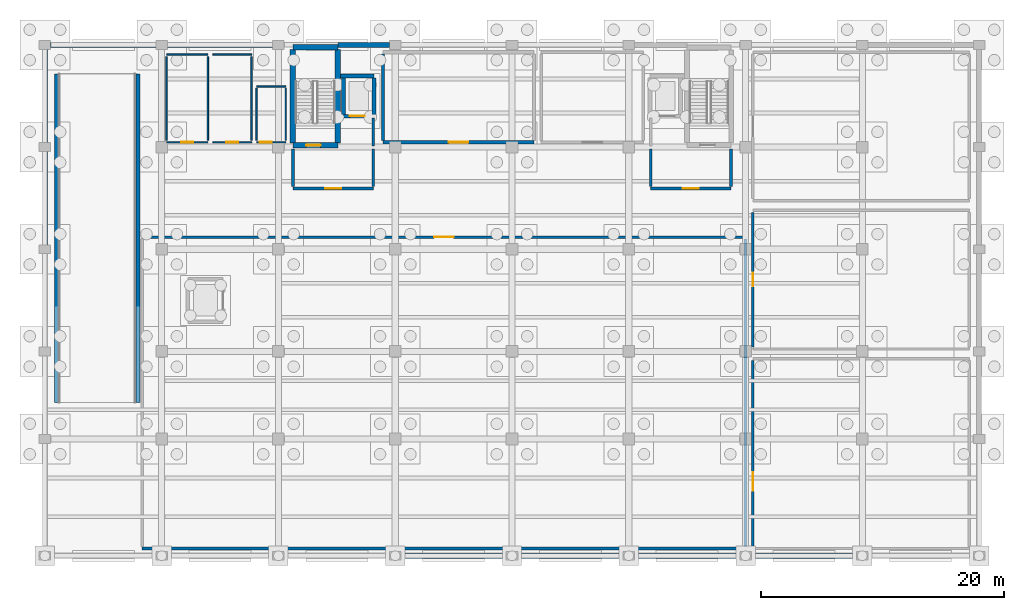
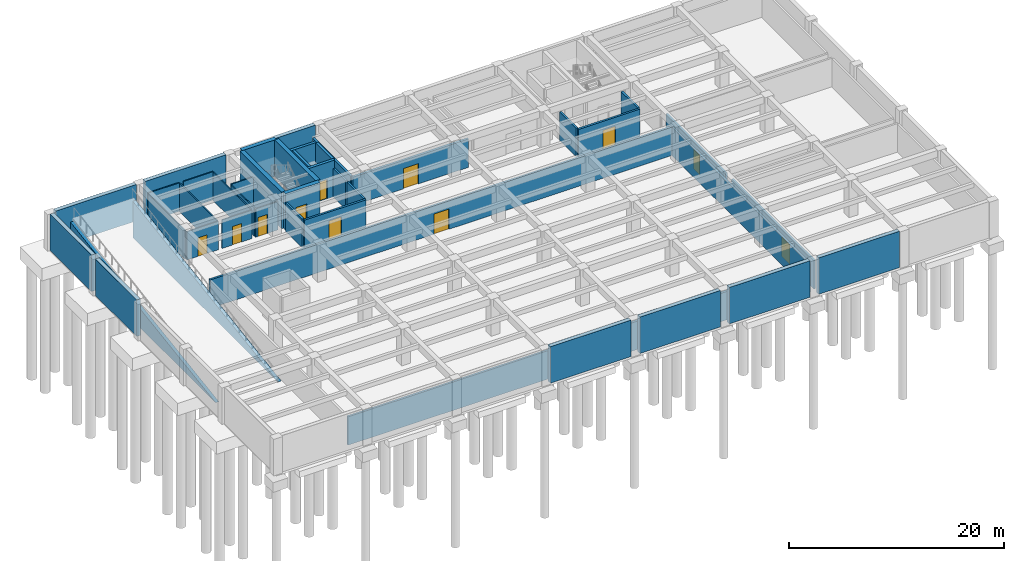
# One storey, part 4 of 8: 44 walls, 11 doors, 11 openings.
"""IFC4 building model written with IfcOpenShell, lengths in metres."""

from ifc_helpers import new_model, si_unit, direction, frame, frame_2d, origin, place, context, subcontext, project, spatial, polyline, rectangle, outline, extrude, material, layer, layer_set, type_object, element, fill, save


model = new_model("IFC4")

# Units and contexts
model_context = context("Model", 3, precision=1e-05, world=origin(), true_north=direction((0.0, 1.0)))
body_context = subcontext(model_context, "Body", "Model", "MODEL_VIEW")
ifc_project = project(units=[si_unit("LENGTHUNIT", "METRE"), si_unit("AREAUNIT", "SQUARE_METRE"), si_unit("VOLUMEUNIT", "CUBIC_METRE"), si_unit("PLANEANGLEUNIT", "RADIAN"), si_unit("MASSUNIT", "GRAM", prefix="KILO")], contexts=[model_context])

# Site, building, storey
site_placement = place(None, origin())
site = spatial("IfcSite", under=ifc_project, at=site_placement, CompositionType="ELEMENT")
building_placement = place(site_placement, origin())
building = spatial("IfcBuilding", under=site, at=building_placement, Name="Bempovik Park Faculty of Sciences", CompositionType="ELEMENT")
storey_placement = place(building_placement, frame((0.0, 0.0, -4.5)))
storey = spatial("IfcBuildingStorey", under=building, at=storey_placement, Name="B1", CompositionType="ELEMENT", Elevation=-4.5)

# Wall, opening, door
ifc_material_1 = material(Name="Concrete C40/50", Category="concrete")
ifc_layer_1 = layer(ifc_material_1, 0.449951171875)
ifc_layer_set_1 = layer_set([ifc_layer_1], Name="Concrete C40/50")
wall_type_1 = type_object("IfcWallType", Name="W-15 Wall 450mm", PredefinedType="SHEAR", material=ifc_layer_set_1)
wall_1_placement = place(storey_placement, frame((70.77490234375, 111.14990234375, 0.0), z_axis=(0.0, 0.0, 1.0), x_axis=(1.0, 0.0, 0.0)))
wall_1 = element("IfcWall", 1, at=wall_1_placement, inside=storey, type_object=wall_type_1, Name="ST-1 B1 Core Shear Wall South", PredefinedType="SHEAR", context=body_context, shape_type="SweptSolid", body=[
    extrude(rectangle(XDim=3.7001953125, YDim=0.449951171875, at=frame_2d((1.85009765625, 0.0))), origin(), (0.0, 0.0, 1.0), 4.139892578125),
])
opening_1_placement = place(wall_1_placement, frame((1.10009765625, 0.0, 0.0)))
opening_1 = element("IfcOpeningElement", 2, at=opening_1_placement, cuts=wall_1, Name="Opening D-49", PredefinedType="OPENING", context=body_context, shape_type="SweptSolid", body=[
    extrude(rectangle(XDim=1.199951171875, YDim=2.199951171875, at=frame_2d((0.60009765625, 1.10009765625))), frame((0.0, 0.23486328125, 0.0), z_axis=(0.0, -1.0, 0.0), x_axis=(1.0, 0.0, 0.0)), (0.0, 0.0, 1.0), 0.469970703125),
])
ifc_material_2 = material(Name="Painted steel S355", Category="steel")
door_type_1 = type_object("IfcDoorType", Name="D-49 Door 1200x2200", OperationType="NOTDEFINED", PredefinedType="DOOR", material=ifc_material_2)
door_1_placement = place(opening_1_placement, origin())
door_1 = element("IfcDoor", 3, at=door_1_placement, inside=storey, type_object=door_type_1, Name="ST-1 B1 Protected Stair Smoke Door", OperationType="SINGLE_SWING_LEFT", OverallHeight=2.199951171875, OverallWidth=1.199951171875, PredefinedType="DOOR", context=body_context, shape_type="SweptSolid", body=[
    extrude(rectangle(XDim=1.199951171875, YDim=2.199951171875, at=frame_2d((0.60009765625, 1.10009765625))), frame((0.0, 0.02490234375, 0.0), z_axis=(0.0, -1.0, 0.0), x_axis=(1.0, 0.0, 0.0)), (0.0, 0.0, 1.0), 0.050048828125),
])
fill(opening_1, door_1)

# Walls
for number, where, z_axis, x_axis, name in (
    (4, (70.77490234375, 111.35009765625, 0.0), (0.0, 0.0, 1.0), (0.0, 1.0, 0.0), "ST-1 B1 Core Shear Wall West"),
    (5, (74.47509765625, 111.35009765625, 0.0), (0.0, 0.0, 1.0), (0.0, 1.0, 0.0), "ST-1 B1 Core Shear Wall East"),
):
    element("IfcWall", number, at=place(storey_placement, frame(where, z_axis=z_axis, x_axis=x_axis)), inside=storey, type_object=wall_type_1, Name=name, PredefinedType="SHEAR", context=body_context, shape_type="SweptSolid", body=[
        extrude(rectangle(XDim=7.6748046875, YDim=0.449951171875, at=frame_2d((3.83740234375, 0.0))), origin(), (0.0, 0.0, 1.0), 4.139892578125),
    ])
wall_2_placement = place(storey_placement, frame((70.77490234375, 119.22509765625, 0.0), z_axis=(0.0, 0.0, 1.0), x_axis=(1.0, 0.0, 0.0)))
element("IfcWall", 6, at=wall_2_placement, inside=storey, type_object=wall_type_1, Name="ST-1 B1 Core Shear Wall North", PredefinedType="SHEAR", context=body_context, shape_type="SweptSolid", body=[
    extrude(rectangle(XDim=3.7001953125, YDim=0.449951171875, at=frame_2d((1.85009765625, 0.0))), origin(), (0.0, 0.0, 1.0), 4.139892578125),
])

# Wall, opening, door
ifc_material_3 = material(Name="Gypsum acoustic stud assembly")
ifc_layer_2 = layer(ifc_material_3, 0.1201171875)
ifc_layer_set_2 = layer_set([ifc_layer_2], Name="Gypsum acoustic stud assembly")
wall_type_2 = type_object("IfcWallType", Name="W-17 Wall 120mm", PredefinedType="PARTITIONING", material=ifc_layer_set_2)
wall_3_placement = place(storey_placement, frame((60.39990234375, 111.39990234375, 0.0), z_axis=(0.0, 0.0, 1.0), x_axis=(1.0, 0.0, 0.0)))
wall_3 = element("IfcWall", 7, at=wall_3_placement, inside=storey, type_object=wall_type_2, Name="B1 Basement Male WC Partition South", PredefinedType="PARTITIONING", context=body_context, shape_type="SweptSolid", body=[
    extrude(rectangle(XDim=3.400146484375, YDim=0.1201171875, at=frame_2d((1.7001953125, 0.0))), origin(), (0.0, 0.0, 1.0), 3.219970703125),
])
opening_2_placement = place(wall_3_placement, frame((1.22509765625, 0.0, 0.0)))
opening_2 = element("IfcOpeningElement", 8, at=opening_2_placement, cuts=wall_3, Name="Opening D-56", PredefinedType="OPENING", context=body_context, shape_type="SweptSolid", body=[
    extrude(rectangle(XDim=0.949951171875, YDim=2.10009765625, at=frame_2d((0.47509765625, 1.050048828125))), frame((0.0, 0.070068359375, 0.0), z_axis=(0.0, -1.0, 0.0), x_axis=(1.0, 0.0, 0.0)), (0.0, 0.0, 1.0), 0.14013671875),
])
ifc_material_4 = material(Name="West African hardwood finish", Category="wood")
door_type_2 = type_object("IfcDoorType", Name="D-56 Door 950x2100", OperationType="NOTDEFINED", PredefinedType="DOOR", material=ifc_material_4)
door_2_placement = place(opening_2_placement, origin())
door_2 = element("IfcDoor", 9, at=door_2_placement, inside=storey, type_object=door_type_2, Name="B1 Basement Male WC Door", OperationType="SINGLE_SWING_LEFT", OverallHeight=2.10009765625, OverallWidth=0.949951171875, PredefinedType="DOOR", context=body_context, shape_type="SweptSolid", body=[
    extrude(rectangle(XDim=0.949951171875, YDim=2.10009765625, at=frame_2d((0.47509765625, 1.050048828125))), frame((0.0, 0.02490234375, 0.0), z_axis=(0.0, -1.0, 0.0), x_axis=(1.0, 0.0, 0.0)), (0.0, 0.0, 1.0), 0.050048828125),
])
fill(opening_2, door_2)

# Walls
wall_4_placement = place(storey_placement, frame((60.39990234375, 118.60009765625, 0.0), z_axis=(0.0, 0.0, 1.0), x_axis=(1.0, 0.0, 0.0)))
element("IfcWall", 10, at=wall_4_placement, inside=storey, type_object=wall_type_2, Name="B1 Basement Male WC Partition North", PredefinedType="PARTITIONING", context=body_context, shape_type="SweptSolid", body=[
    extrude(rectangle(XDim=3.400146484375, YDim=0.1201171875, at=frame_2d((1.7001953125, 0.0))), origin(), (0.0, 0.0, 1.0), 3.219970703125),
])
for number, where, z_axis, x_axis, name in (
    (11, (60.39990234375, 111.56005859375, 0.0), (0.0, 0.0, 1.0), (0.0, 1.0, 0.0), "B1 Basement Male WC Partition West"),
    (12, (63.800048828125, 111.56005859375, 0.0), (0.0, 0.0, 1.0), (0.0, 1.0, 0.0), "B1 Basement Male WC Partition East"),
):
    element("IfcWall", number, at=place(storey_placement, frame(where, z_axis=z_axis, x_axis=x_axis)), inside=storey, type_object=wall_type_2, Name=name, PredefinedType="PARTITIONING", context=body_context, shape_type="SweptSolid", body=[
        extrude(rectangle(XDim=6.8798828125, YDim=0.1201171875, at=frame_2d((3.43994140625, 0.0))), origin(), (0.0, 0.0, 1.0), 3.219970703125),
    ])

# Wall, opening, door
wall_5_placement = place(storey_placement, frame((64.199951171875, 111.39990234375, 0.0), z_axis=(0.0, 0.0, 1.0), x_axis=(1.0, 0.0, 0.0)))
wall_5 = element("IfcWall", 13, at=wall_5_placement, inside=storey, type_object=wall_type_2, Name="B1 Basement Female WC Partition South", PredefinedType="PARTITIONING", context=body_context, shape_type="SweptSolid", body=[
    extrude(rectangle(XDim=3.199951171875, YDim=0.1201171875, at=frame_2d((1.60009765625, 0.0))), origin(), (0.0, 0.0, 1.0), 3.219970703125),
])
opening_3_placement = place(wall_5_placement, frame((1.125, 0.0, 0.0)))
opening_3 = element("IfcOpeningElement", 14, at=opening_3_placement, cuts=wall_5, Name="Opening D-56", PredefinedType="OPENING", context=body_context, shape_type="SweptSolid", body=[
    extrude(rectangle(XDim=0.949951171875, YDim=2.10009765625, at=frame_2d((0.47509765625, 1.050048828125))), frame((0.0, 0.070068359375, 0.0), z_axis=(0.0, -1.0, 0.0), x_axis=(1.0, 0.0, 0.0)), (0.0, 0.0, 1.0), 0.14013671875),
])
door_3_placement = place(opening_3_placement, origin())
door_3 = element("IfcDoor", 15, at=door_3_placement, inside=storey, type_object=door_type_2, Name="B1 Basement Female WC Door", OperationType="SINGLE_SWING_RIGHT", OverallHeight=2.10009765625, OverallWidth=0.949951171875, PredefinedType="DOOR", context=body_context, shape_type="SweptSolid", body=[
    extrude(rectangle(XDim=0.949951171875, YDim=2.10009765625, at=frame_2d((0.47509765625, 1.050048828125))), frame((0.0, 0.02490234375, 0.0), z_axis=(0.0, -1.0, 0.0), x_axis=(1.0, 0.0, 0.0)), (0.0, 0.0, 1.0), 0.050048828125),
])
fill(opening_3, door_3)

# Walls
wall_6_placement = place(storey_placement, frame((64.199951171875, 118.60009765625, 0.0), z_axis=(0.0, 0.0, 1.0), x_axis=(1.0, 0.0, 0.0)))
element("IfcWall", 16, at=wall_6_placement, inside=storey, type_object=wall_type_2, Name="B1 Basement Female WC Partition North", PredefinedType="PARTITIONING", context=body_context, shape_type="SweptSolid", body=[
    extrude(rectangle(XDim=3.199951171875, YDim=0.1201171875, at=frame_2d((1.60009765625, 0.0))), origin(), (0.0, 0.0, 1.0), 3.219970703125),
])
wall_7_placement = place(storey_placement, frame((67.39990234375, 111.56005859375, 0.0), z_axis=(0.0, 0.0, 1.0), x_axis=(0.0, 1.0, 0.0)))
element("IfcWall", 17, at=wall_7_placement, inside=storey, type_object=wall_type_2, Name="B1 Basement Female WC Partition East", PredefinedType="PARTITIONING", context=body_context, shape_type="SweptSolid", body=[
    extrude(rectangle(XDim=6.8798828125, YDim=0.1201171875, at=frame_2d((3.43994140625, 0.0))), origin(), (0.0, 0.0, 1.0), 3.219970703125),
])

# Wall, opening, door
wall_8_placement = place(storey_placement, frame((67.800048828125, 111.39990234375, 0.0), z_axis=(0.0, 0.0, 1.0), x_axis=(1.0, 0.0, 0.0)))
wall_8 = element("IfcWall", 18, at=wall_8_placement, inside=storey, type_object=wall_type_2, Name="B1 Basement Accessible WC Partition South", PredefinedType="PARTITIONING", context=body_context, shape_type="SweptSolid", body=[
    extrude(rectangle(XDim=2.39990234375, YDim=0.1201171875, at=frame_2d((1.199951171875, 0.0))), origin(), (0.0, 0.0, 1.0), 3.219970703125),
])
opening_4_placement = place(wall_8_placement, frame((0.25, 0.0, 0.0)))
opening_4 = element("IfcOpeningElement", 19, at=opening_4_placement, cuts=wall_8, Name="Opening D-50", PredefinedType="OPENING", context=body_context, shape_type="SweptSolid", body=[
    extrude(rectangle(XDim=1.0, YDim=2.14990234375, at=frame_2d((0.5, 1.074951171875))), frame((0.0, 0.070068359375, 0.0), z_axis=(0.0, -1.0, 0.0), x_axis=(1.0, 0.0, 0.0)), (0.0, 0.0, 1.0), 0.14013671875),
])
door_type_3 = type_object("IfcDoorType", Name="D-50 Door 1000x2150", OperationType="NOTDEFINED", PredefinedType="DOOR", material=ifc_material_4)
door_4_placement = place(opening_4_placement, origin())
door_4 = element("IfcDoor", 20, at=door_4_placement, inside=storey, type_object=door_type_3, Name="B1 Basement Accessible WC Door", OperationType="SINGLE_SWING_LEFT", OverallHeight=2.14990234375, OverallWidth=1.0, PredefinedType="DOOR", context=body_context, shape_type="SweptSolid", body=[
    extrude(rectangle(XDim=1.0, YDim=2.14990234375, at=frame_2d((0.5, 1.074951171875))), frame((0.0, 0.02490234375, 0.0), z_axis=(0.0, -1.0, 0.0), x_axis=(1.0, 0.0, 0.0)), (0.0, 0.0, 1.0), 0.050048828125),
])
fill(opening_4, door_4)

# Walls
wall_9_placement = place(storey_placement, frame((67.800048828125, 116.0, 0.0), z_axis=(0.0, 0.0, 1.0), x_axis=(1.0, 0.0, 0.0)))
element("IfcWall", 21, at=wall_9_placement, inside=storey, type_object=wall_type_2, Name="B1 Basement Accessible WC Partition North", PredefinedType="PARTITIONING", context=body_context, shape_type="SweptSolid", body=[
    extrude(rectangle(XDim=2.39990234375, YDim=0.1201171875, at=frame_2d((1.199951171875, 0.0))), origin(), (0.0, 0.0, 1.0), 3.219970703125),
])
for number, where, z_axis, x_axis, name in (
    (22, (67.800048828125, 111.56005859375, 0.0), (0.0, 0.0, 1.0), (0.0, 1.0, 0.0), "B1 Basement Accessible WC Partition West"),
    (23, (70.199951171875, 111.56005859375, 0.0), (0.0, 0.0, 1.0), (0.0, 1.0, 0.0), "B1 Basement Accessible WC Partition East"),
):
    element("IfcWall", number, at=place(storey_placement, frame(where, z_axis=z_axis, x_axis=x_axis)), inside=storey, type_object=wall_type_2, Name=name, PredefinedType="PARTITIONING", context=body_context, shape_type="SweptSolid", body=[
        extrude(rectangle(XDim=4.280029296875, YDim=0.1201171875, at=frame_2d((2.14013671875, 0.0))), origin(), (0.0, 0.0, 1.0), 3.219970703125),
    ])

# Wall, opening, door
ifc_layer_3 = layer(ifc_material_1, 0.300048828125)
ifc_layer_set_3 = layer_set([ifc_layer_3], Name="Concrete C40/50")
wall_type_3 = type_object("IfcWallType", Name="W-31 Wall 300mm", PredefinedType="SHEAR", material=ifc_layer_set_3)
wall_10_placement = place(storey_placement, frame((74.699951171875, 113.550048828125, 0.0), z_axis=(0.0, 0.0, 1.0), x_axis=(1.0, 0.0, 0.0)))
wall_10 = element("IfcWall", 24, at=wall_10_placement, inside=storey, type_object=wall_type_3, Name="Lift LF-1 B1 Shaft Wall South", PredefinedType="SHEAR", context=body_context, shape_type="SweptSolid", body=[
    extrude(rectangle(XDim=2.75, YDim=0.300048828125, at=frame_2d((1.375, 0.0))), origin(), (0.0, 0.0, 1.0), 4.139892578125),
])
opening_5_placement = place(wall_10_placement, frame((0.77490234375, 0.0, 0.0)))
opening_5 = element("IfcOpeningElement", 25, at=opening_5_placement, cuts=wall_10, Name="Opening LD-01", PredefinedType="OPENING", context=body_context, shape_type="SweptSolid", body=[
    extrude(rectangle(XDim=1.199951171875, YDim=2.199951171875, at=frame_2d((0.60009765625, 1.10009765625))), frame((0.0, 0.16015625, 0.0), z_axis=(0.0, -1.0, 0.0), x_axis=(1.0, 0.0, 0.0)), (0.0, 0.0, 1.0), 0.320068359375),
])
door_type_4 = type_object("IfcDoorType", Name="LD-01 Door 1200x2200", OperationType="NOTDEFINED", PredefinedType="DOOR", material=ifc_material_2)
door_5_placement = place(opening_5_placement, origin())
door_5 = element("IfcDoor", 26, at=door_5_placement, inside=storey, type_object=door_type_4, Name="Lift LF-1 B1 Sliding Landing Door", OperationType="SLIDING_TO_LEFT", OverallHeight=2.199951171875, OverallWidth=1.199951171875, PredefinedType="DOOR", context=body_context, shape_type="SweptSolid", body=[
    extrude(rectangle(XDim=1.199951171875, YDim=2.199951171875, at=frame_2d((0.60009765625, 1.10009765625))), frame((0.0, 0.02490234375, 0.0), z_axis=(0.0, -1.0, 0.0), x_axis=(1.0, 0.0, 0.0)), (0.0, 0.0, 1.0), 0.050048828125),
])
fill(opening_5, door_5)

# Walls
wall_11_placement = place(storey_placement, frame((74.699951171875, 116.85009765625, 0.0), z_axis=(0.0, 0.0, 1.0), x_axis=(1.0, 0.0, 0.0)))
element("IfcWall", 27, at=wall_11_placement, inside=storey, type_object=wall_type_3, Name="Lift LF-1 B1 Shaft Wall North", PredefinedType="SHEAR", context=body_context, shape_type="SweptSolid", body=[
    extrude(rectangle(XDim=2.75, YDim=0.300048828125, at=frame_2d((1.375, 0.0))), origin(), (0.0, 0.0, 1.0), 4.139892578125),
])
for number, where, z_axis, x_axis, name in (
    (28, (74.949951171875, 113.699951171875, 0.0), (0.0, 0.0, 1.0), (0.0, 1.0, 0.0), "Lift LF-1 B1 Shaft Wall West"),
    (29, (77.449951171875, 113.699951171875, 0.0), (0.0, 0.0, 1.0), (0.0, 1.0, 0.0), "Lift LF-1 B1 Shaft Wall East"),
):
    element("IfcWall", number, at=place(storey_placement, frame(where, z_axis=z_axis, x_axis=x_axis)), inside=storey, type_object=wall_type_3, Name=name, PredefinedType="SHEAR", context=body_context, shape_type="SweptSolid", body=[
        extrude(rectangle(XDim=3.0, YDim=0.300048828125, at=frame_2d((1.5, 0.0))), origin(), (0.0, 0.0, 1.0), 4.139892578125),
    ])

# Wall, opening, door
ifc_material_5 = material(Name="Concrete C35/45", Category="concrete")
ifc_layer_4 = layer(ifc_material_5, 0.25)
ifc_layer_set_4 = layer_set([ifc_layer_4], Name="Concrete C35/45")
wall_type_4 = type_object("IfcWallType", Name="W-32 Wall 250mm", PredefinedType="PARTITIONING", material=ifc_layer_set_4)
wall_12_placement = place(storey_placement, frame((78.199951171875, 111.39990234375, 0.0), z_axis=(0.0, 0.0, 1.0), x_axis=(1.0, 0.0, 0.0)))
wall_12 = element("IfcWall", 30, at=wall_12_placement, inside=storey, type_object=wall_type_4, Name="B1 Standby Power and Switchgear Plant Room Partition South", PredefinedType="PARTITIONING", context=body_context, shape_type="SweptSolid", body=[
    extrude(rectangle(XDim=12.400146484375, YDim=0.25, at=frame_2d((6.2001953125, 0.0))), origin(), (0.0, 0.0, 1.0), 3.219970703125),
])
opening_6_placement = place(wall_12_placement, frame((5.39990234375, 0.0, 0.0)))
opening_6 = element("IfcOpeningElement", 31, at=opening_6_placement, cuts=wall_12, Name="Opening D-37", PredefinedType="OPENING", context=body_context, shape_type="SweptSolid", body=[
    extrude(rectangle(XDim=1.60009765625, YDim=2.300048828125, at=frame_2d((0.800048828125, 1.14990234375))), frame((0.0, 0.135009765625, 0.0), z_axis=(0.0, -1.0, 0.0), x_axis=(1.0, 0.0, 0.0)), (0.0, 0.0, 1.0), 0.27001953125),
])
door_type_5 = type_object("IfcDoorType", Name="D-37 Door 1600x2300", OperationType="NOTDEFINED", PredefinedType="DOOR", material=ifc_material_2)
door_6_placement = place(opening_6_placement, origin())
door_6 = element("IfcDoor", 32, at=door_6_placement, inside=storey, type_object=door_type_5, Name="B1 Standby Power and Switchgear Plant Room Door", OperationType="SINGLE_SWING_RIGHT", OverallHeight=2.300048828125, OverallWidth=1.60009765625, PredefinedType="DOOR", context=body_context, shape_type="SweptSolid", body=[
    extrude(rectangle(XDim=1.60009765625, YDim=2.300048828125, at=frame_2d((0.800048828125, 1.14990234375))), frame((0.0, 0.02490234375, 0.0), z_axis=(0.0, -1.0, 0.0), x_axis=(1.0, 0.0, 0.0)), (0.0, 0.0, 1.0), 0.050048828125),
])
fill(opening_6, door_6)

# Wall
wall_13_placement = place(storey_placement, frame((78.199951171875, 111.56005859375, 0.0), z_axis=(0.0, 0.0, 1.0), x_axis=(0.0, 1.0, 0.0)))
element("IfcWall", 33, at=wall_13_placement, inside=storey, type_object=wall_type_4, Name="B1 Standby Power and Switchgear Plant Room Partition West", PredefinedType="PARTITIONING", context=body_context, shape_type="SweptSolid", body=[
    extrude(rectangle(XDim=7.079833984375, YDim=0.25, at=frame_2d((3.5400390625, 0.0))), origin(), (0.0, 0.0, 1.0), 3.219970703125),
])

# Wall, opening, door
ifc_layer_5 = layer(ifc_material_5, 0.219970703125)
ifc_layer_set_5 = layer_set([ifc_layer_5], Name="Concrete C35/45")
wall_type_5 = type_object("IfcWallType", Name="W-38 Wall 220mm", PredefinedType="PARTITIONING", material=ifc_layer_set_5)
wall_14_placement = place(storey_placement, frame((70.800048828125, 107.60009765625, 0.0), z_axis=(0.0, 0.0, 1.0), x_axis=(1.0, 0.0, 0.0)))
wall_14 = element("IfcWall", 34, at=wall_14_placement, inside=storey, type_object=wall_type_5, Name="B1 Firefighting Lift Lobby West Partition South", PredefinedType="PARTITIONING", context=body_context, shape_type="SweptSolid", body=[
    extrude(rectangle(XDim=6.599853515625, YDim=0.219970703125, at=frame_2d((3.2998046875, 0.0))), origin(), (0.0, 0.0, 1.0), 3.219970703125),
])
opening_7_placement = place(wall_14_placement, frame((2.64990234375, 0.0, 0.0)))
opening_7 = element("IfcOpeningElement", 35, at=opening_7_placement, cuts=wall_14, Name="Opening D-38", PredefinedType="OPENING", context=body_context, shape_type="SweptSolid", body=[
    extrude(rectangle(XDim=1.300048828125, YDim=2.199951171875, at=frame_2d((0.64990234375, 1.10009765625))), frame((0.0, 0.1201171875, 0.0), z_axis=(0.0, -1.0, 0.0), x_axis=(1.0, 0.0, 0.0)), (0.0, 0.0, 1.0), 0.239990234375),
])
door_type_6 = type_object("IfcDoorType", Name="D-38 Door 1300x2200", OperationType="NOTDEFINED", PredefinedType="DOOR", material=ifc_material_2)
door_7_placement = place(opening_7_placement, origin())
door_7 = element("IfcDoor", 36, at=door_7_placement, inside=storey, type_object=door_type_6, Name="B1 Firefighting Lift Lobby West Door", OperationType="SINGLE_SWING_RIGHT", OverallHeight=2.199951171875, OverallWidth=1.300048828125, PredefinedType="DOOR", context=body_context, shape_type="SweptSolid", body=[
    extrude(rectangle(XDim=1.300048828125, YDim=2.199951171875, at=frame_2d((0.64990234375, 1.10009765625))), frame((0.0, 0.02490234375, 0.0), z_axis=(0.0, -1.0, 0.0), x_axis=(1.0, 0.0, 0.0)), (0.0, 0.0, 1.0), 0.050048828125),
])
fill(opening_7, door_7)

# Walls
wall_15_placement = place(storey_placement, frame((77.39990234375, 111.080078125, 0.0), z_axis=(0.0, 0.0, 1.0), x_axis=(0.0, 1.0, 0.0)))
element("IfcWall", 37, at=wall_15_placement, inside=storey, type_object=wall_type_5, Name="B1 Firefighting Lobby West Lift Link Wall", PredefinedType="PARTITIONING", context=body_context, shape_type="SweptSolid", body=[
    extrude(rectangle(XDim=2.31982421875, YDim=0.219970703125, at=frame_2d((1.159912109375, 0.0))), origin(), (0.0, 0.0, 1.0), 3.219970703125),
])
for number, where, z_axis, x_axis, name in (
    (38, (70.800048828125, 107.760009765625, 0.0), (0.0, 0.0, 1.0), (0.0, 1.0, 0.0), "B1 Firefighting Lift Lobby West Partition West"),
    (39, (77.39990234375, 107.760009765625, 0.0), (0.0, 0.0, 1.0), (0.0, 1.0, 0.0), "B1 Firefighting Lift Lobby West Partition East"),
):
    element("IfcWall", number, at=place(storey_placement, frame(where, z_axis=z_axis, x_axis=x_axis)), inside=storey, type_object=wall_type_5, Name=name, PredefinedType="PARTITIONING", context=body_context, shape_type="SweptSolid", body=[
        extrude(rectangle(XDim=3.080078125, YDim=0.219970703125, at=frame_2d((1.5400390625, 0.0))), origin(), (0.0, 0.0, 1.0), 3.219970703125),
    ])

# Wall, opening, door
wall_16_placement = place(storey_placement, frame((100.199951171875, 107.60009765625, 0.0), z_axis=(0.0, 0.0, 1.0), x_axis=(1.0, 0.0, 0.0)))
wall_16 = element("IfcWall", 40, at=wall_16_placement, inside=storey, type_object=wall_type_5, Name="B1 Firefighting Lift Lobby East Partition South", PredefinedType="PARTITIONING", context=body_context, shape_type="SweptSolid", body=[
    extrude(rectangle(XDim=6.60009765625, YDim=0.219970703125, at=frame_2d((3.300048828125, 0.0))), origin(), (0.0, 0.0, 1.0), 3.219970703125),
])
opening_8_placement = place(wall_16_placement, frame((2.64990234375, 0.0, 0.0)))
opening_8 = element("IfcOpeningElement", 41, at=opening_8_placement, cuts=wall_16, Name="Opening D-38", PredefinedType="OPENING", context=body_context, shape_type="SweptSolid", body=[
    extrude(rectangle(XDim=1.300048828125, YDim=2.199951171875, at=frame_2d((0.64990234375, 1.10009765625))), frame((0.0, 0.1201171875, 0.0), z_axis=(0.0, -1.0, 0.0), x_axis=(1.0, 0.0, 0.0)), (0.0, 0.0, 1.0), 0.239990234375),
])
door_8_placement = place(opening_8_placement, origin())
door_8 = element("IfcDoor", 42, at=door_8_placement, inside=storey, type_object=door_type_6, Name="B1 Firefighting Lift Lobby East Door", OperationType="SINGLE_SWING_LEFT", OverallHeight=2.199951171875, OverallWidth=1.300048828125, PredefinedType="DOOR", context=body_context, shape_type="SweptSolid", body=[
    extrude(rectangle(XDim=1.300048828125, YDim=2.199951171875, at=frame_2d((0.64990234375, 1.10009765625))), frame((0.0, 0.02490234375, 0.0), z_axis=(0.0, -1.0, 0.0), x_axis=(1.0, 0.0, 0.0)), (0.0, 0.0, 1.0), 0.050048828125),
])
fill(opening_8, door_8)

# Walls
for number, where, z_axis, x_axis, name in (
    (43, (100.199951171875, 107.760009765625, 0.0), (0.0, 0.0, 1.0), (0.0, 1.0, 0.0), "B1 Firefighting Lift Lobby East Partition West"),
    (44, (106.800048828125, 107.760009765625, 0.0), (0.0, 0.0, 1.0), (0.0, 1.0, 0.0), "B1 Firefighting Lift Lobby East Partition East"),
):
    element("IfcWall", number, at=place(storey_placement, frame(where, z_axis=z_axis, x_axis=x_axis)), inside=storey, type_object=wall_type_5, Name=name, PredefinedType="PARTITIONING", context=body_context, shape_type="SweptSolid", body=[
        extrude(rectangle(XDim=3.080078125, YDim=0.219970703125, at=frame_2d((1.5400390625, 0.0))), origin(), (0.0, 0.0, 1.0), 3.219970703125),
    ])
wall_17_placement = place(storey_placement, frame((58.39990234375, 78.0, 0.0), z_axis=(0.0, 0.0, 1.0), x_axis=(1.0, 0.0, 0.0)))
element("IfcWall", 45, at=wall_17_placement, inside=storey, type_object=wall_type_5, Name="B1 Basement Car Park Partition South", PredefinedType="PARTITIONING", context=body_context, shape_type="SweptSolid", body=[
    extrude(rectangle(XDim=49.60009765625, YDim=0.219970703125, at=frame_2d((24.800048828125, 0.0))), origin(), (0.0, 0.0, 1.0), 3.219970703125),
])

# Wall, opening, door
wall_18_placement = place(storey_placement, frame((58.39990234375, 103.60009765625, 0.0), z_axis=(0.0, 0.0, 1.0), x_axis=(1.0, 0.0, 0.0)))
wall_18 = element("IfcWall", 46, at=wall_18_placement, inside=storey, type_object=wall_type_5, Name="B1 Basement Car Park Partition North", PredefinedType="PARTITIONING", context=body_context, shape_type="SweptSolid", body=[
    extrude(rectangle(XDim=49.60009765625, YDim=0.219970703125, at=frame_2d((24.800048828125, 0.0))), origin(), (0.0, 0.0, 1.0), 3.219970703125),
])
opening_9_placement = place(wall_18_placement, frame((24.0, 0.0, 0.0)))
opening_9 = element("IfcOpeningElement", 47, at=opening_9_placement, cuts=wall_18, Name="Opening D-37", PredefinedType="OPENING", context=body_context, shape_type="SweptSolid", body=[
    extrude(rectangle(XDim=1.60009765625, YDim=2.300048828125, at=frame_2d((0.800048828125, 1.14990234375))), frame((0.0, 0.1201171875, 0.0), z_axis=(0.0, -1.0, 0.0), x_axis=(1.0, 0.0, 0.0)), (0.0, 0.0, 1.0), 0.239990234375),
])
door_9_placement = place(opening_9_placement, origin())
door_9 = element("IfcDoor", 48, at=door_9_placement, inside=storey, type_object=door_type_5, Name="B1 Basement Car Park Door", OperationType="SINGLE_SWING_RIGHT", OverallHeight=2.300048828125, OverallWidth=1.60009765625, PredefinedType="DOOR", context=body_context, shape_type="SweptSolid", body=[
    extrude(rectangle(XDim=1.60009765625, YDim=2.300048828125, at=frame_2d((0.800048828125, 1.14990234375))), frame((0.0, 0.02490234375, 0.0), z_axis=(0.0, -1.0, 0.0), x_axis=(1.0, 0.0, 0.0)), (0.0, 0.0, 1.0), 0.050048828125),
])
fill(opening_9, door_9)

# Walls
wall_19_placement = place(storey_placement, frame((108.0, 78.159912109375, 0.0), z_axis=(0.0, 0.0, 1.0), x_axis=(0.0, 1.0, 0.0)))
element("IfcWall", 49, at=wall_19_placement, inside=storey, type_object=wall_type_5, Name="B1 Basement Car Park Partition East", PredefinedType="PARTITIONING", context=body_context, shape_type="SweptSolid", body=[
    extrude(rectangle(XDim=25.280029296875, YDim=0.219970703125, at=frame_2d((12.64013671875, 0.0))), origin(), (0.0, 0.0, 1.0), 3.219970703125),
])
ifc_layer_6 = layer(ifc_material_1, 0.35009765625)
ifc_layer_set_6 = layer_set([ifc_layer_6], Name="Concrete C40/50")
wall_type_6 = type_object("IfcWallType", Name="W-46 Wall 350mm", PredefinedType="SHEAR", material=ifc_layer_set_6)
for number, where, z_axis, x_axis, name in (
    (50, (51.35009765625, 90.0, 0.0), (0.0, 0.0, 1.0), (0.0, 1.0, 0.0), "Basement Vehicle Ramp Support Wall W"),
    (51, (58.050048828125, 90.0, 0.0), (0.0, 0.0, 1.0), (0.0, 1.0, 0.0), "Basement Vehicle Ramp Support Wall E"),
):
    element("IfcWall", number, at=place(storey_placement, frame(where, z_axis=z_axis, x_axis=x_axis)), inside=storey, type_object=wall_type_6, Name=name, PredefinedType="SHEAR", context=body_context, shape_type="SweptSolid", body=[
        extrude(outline(polyline([(0.0, 0.0), (27.0, 0.0), (27.0, 4.1201171875), (0.0, 0.0), (0.0, 0.0)])), frame((0.0, 0.175048828125, 0.0), z_axis=(0.0, -1.0, 0.0), x_axis=(1.0, 0.0, 0.0)), (0.0, 0.0, 1.0), 0.35009765625),
    ])

# Wall, opening, door
ifc_layer_7 = layer(ifc_material_5, 0.199951171875)
ifc_layer_set_7 = layer_set([ifc_layer_7], Name="Concrete C35/45")
wall_type_7 = type_object("IfcWallType", Name="W-59 Wall 200mm", PredefinedType="PARTITIONING", material=ifc_layer_set_7)
wall_20_placement = place(storey_placement, frame((108.60009765625, 78.159912109375, 0.0), z_axis=(0.0, 0.0, 1.0), x_axis=(0.0, 1.0, 0.0)))
wall_20 = element("IfcWall", 52, at=wall_20_placement, inside=storey, type_object=wall_type_7, Name="B1 Heavy Vibration-Isolated Optics Laboratory Partition West", PredefinedType="PARTITIONING", context=body_context, shape_type="SweptSolid", body=[
    extrude(rectangle(XDim=15.280029296875, YDim=0.199951171875, at=frame_2d((7.64013671875, 0.0))), origin(), (0.0, 0.0, 1.0), 3.219970703125),
])
opening_10_placement = place(wall_20_placement, frame((4.597900390625, 0.0, 0.0)))
opening_10 = element("IfcOpeningElement", 53, at=opening_10_placement, cuts=wall_20, Name="Opening D-22", PredefinedType="OPENING", context=body_context, shape_type="SweptSolid", body=[
    extrude(rectangle(XDim=1.5, YDim=2.199951171875, at=frame_2d((0.75, 1.10009765625))), frame((0.0, 0.10986328125, 0.0), z_axis=(0.0, -1.0, 0.0), x_axis=(1.0, 0.0, 0.0)), (0.0, 0.0, 1.0), 0.219970703125),
])
door_type_7 = type_object("IfcDoorType", Name="D-22 Door 1500x2200", OperationType="NOTDEFINED", PredefinedType="DOOR", material=ifc_material_4)
door_10_placement = place(opening_10_placement, origin())
door_10 = element("IfcDoor", 54, at=door_10_placement, inside=storey, type_object=door_type_7, Name="B1 Heavy Vibration-Isolated Optics Laboratory Door", OperationType="SINGLE_SWING_RIGHT", OverallHeight=2.199951171875, OverallWidth=1.5, PredefinedType="DOOR", context=body_context, shape_type="SweptSolid", body=[
    extrude(rectangle(XDim=1.5, YDim=2.199951171875, at=frame_2d((0.75, 1.10009765625))), frame((0.0, 0.02490234375, 0.0), z_axis=(0.0, -1.0, 0.0), x_axis=(1.0, 0.0, 0.0)), (0.0, 0.0, 1.0), 0.050048828125),
])
fill(opening_10, door_10)

wall_21_placement = place(storey_placement, frame((108.60009765625, 94.56005859375, 0.0), z_axis=(0.0, 0.0, 1.0), x_axis=(0.0, 1.0, 0.0)))
wall_21 = element("IfcWall", 55, at=wall_21_placement, inside=storey, type_object=wall_type_7, Name="B1 Geological Specimen Cold Store Partition West", PredefinedType="PARTITIONING", context=body_context, shape_type="SweptSolid", body=[
    extrude(rectangle(XDim=11.079833984375, YDim=0.199951171875, at=frame_2d((5.5400390625, 0.0))), origin(), (0.0, 0.0, 1.0), 3.219970703125),
])
opening_11_placement = place(wall_21_placement, frame((4.989990234375, 0.0, 0.0)))
opening_11 = element("IfcOpeningElement", 56, at=opening_11_placement, cuts=wall_21, Name="Opening D-65", PredefinedType="OPENING", context=body_context, shape_type="SweptSolid", body=[
    extrude(rectangle(XDim=1.10009765625, YDim=2.199951171875, at=frame_2d((0.550048828125, 1.10009765625))), frame((0.0, 0.10986328125, 0.0), z_axis=(0.0, -1.0, 0.0), x_axis=(1.0, 0.0, 0.0)), (0.0, 0.0, 1.0), 0.219970703125),
])
door_type_8 = type_object("IfcDoorType", Name="D-65 Door 1100x2200", OperationType="NOTDEFINED", PredefinedType="DOOR", material=ifc_material_4)
door_11_placement = place(opening_11_placement, origin())
door_11 = element("IfcDoor", 57, at=door_11_placement, inside=storey, type_object=door_type_8, Name="B1 Geological Specimen Cold Store Door", OperationType="SINGLE_SWING_LEFT", OverallHeight=2.199951171875, OverallWidth=1.10009765625, PredefinedType="DOOR", context=body_context, shape_type="SweptSolid", body=[
    extrude(rectangle(XDim=1.10009765625, YDim=2.199951171875, at=frame_2d((0.550048828125, 1.10009765625))), frame((0.0, 0.02490234375, 0.0), z_axis=(0.0, -1.0, 0.0), x_axis=(1.0, 0.0, 0.0)), (0.0, 0.0, 1.0), 0.050048828125),
])
fill(opening_11, door_11)

# Walls
ifc_layer_8 = layer(ifc_material_5, 0.419921875)
ifc_layer_set_8 = layer_set([ifc_layer_8], Name="Concrete C35/45")
wall_type_8 = type_object("IfcWallType", Name="W-62 Wall 420mm", PredefinedType="SOLIDWALL", material=ifc_layer_set_8)
for number, where, z_axis, x_axis, name in (
    (58, (50.876953125, 119.39990234375, 0.0), (0.0, 0.0, 1.0), (1.0, 0.0, 0.0), "Basement Waterproof Retaining Wall RW-B1-5636"),
    (59, (60.47705078125, 119.39990234375, 0.0), (0.0, 0.0, 1.0), (1.0, 0.0, 0.0), "Basement Waterproof Retaining Wall RW-B1-5637"),
):
    element("IfcWall", number, at=place(storey_placement, frame(where, z_axis=z_axis, x_axis=x_axis)), inside=storey, type_object=wall_type_8, Name=name, PredefinedType="SOLIDWALL", context=body_context, shape_type="SweptSolid", body=[
        extrude(rectangle(XDim=8.64599609375, YDim=0.419921875, at=frame_2d((4.322998046875, 0.0))), origin(), (0.0, 0.0, 1.0), 4.135009765625),
    ])
wall_22_placement = place(storey_placement, frame((74.47607421875, 119.39990234375, 0.0), z_axis=(0.0, 0.0, 1.0), x_axis=(1.0, 0.0, 0.0)))
element("IfcWall", 60, at=wall_22_placement, inside=storey, type_object=wall_type_8, Name="Basement Waterproof Retaining Wall RW-B1-5638", PredefinedType="SOLIDWALL", context=body_context, shape_type="SweptSolid", body=[
    extrude(rectangle(XDim=4.246826171875, YDim=0.419921875, at=frame_2d((2.12353515625, 0.0))), origin(), (0.0, 0.0, 1.0), 4.135009765625),
])
for number, where, z_axis, x_axis, name in (
    (61, (50.39990234375, 102.9619140625, 0.0), (0.0, 0.0, 1.0), (0.0, 1.0, 0.0), "Basement Waterproof Retaining Wall RW-B1-5647"),
    (62, (50.39990234375, 111.362060546875, 0.0), (0.0, 0.0, 1.0), (0.0, 1.0, 0.0), "Basement Waterproof Retaining Wall RW-B1-5648"),
):
    element("IfcWall", number, at=place(storey_placement, frame(where, z_axis=z_axis, x_axis=x_axis)), inside=storey, type_object=wall_type_8, Name=name, PredefinedType="SOLIDWALL", context=body_context, shape_type="SweptSolid", body=[
        extrude(rectangle(XDim=7.676025390625, YDim=0.419921875, at=frame_2d((3.837890625, 0.0))), origin(), (0.0, 0.0, 1.0), 4.135009765625),
    ])
for number, where, z_axis, x_axis, name in (
    (63, (79.677001953125, 77.39990234375, 0.0), (0.0, 0.0, 1.0), (1.0, 0.0, 0.0), "Basement Waterproof Retaining Wall RW-B1-5652"),
    (64, (89.277099609375, 77.39990234375, 0.0), (0.0, 0.0, 1.0), (1.0, 0.0, 0.0), "Basement Waterproof Retaining Wall RW-B1-5653"),
    (65, (98.876953125, 77.39990234375, 0.0), (0.0, 0.0, 1.0), (1.0, 0.0, 0.0), "Basement Waterproof Retaining Wall RW-B1-5654"),
    (66, (108.47705078125, 77.39990234375, 0.0), (0.0, 0.0, 1.0), (1.0, 0.0, 0.0), "Basement Waterproof Retaining Wall RW-B1-5655"),
):
    element("IfcWall", number, at=place(storey_placement, frame(where, z_axis=z_axis, x_axis=x_axis)), inside=storey, type_object=wall_type_8, Name=name, PredefinedType="SOLIDWALL", context=body_context, shape_type="SweptSolid", body=[
        extrude(rectangle(XDim=8.64599609375, YDim=0.419921875, at=frame_2d((4.322998046875, 0.0))), origin(), (0.0, 0.0, 1.0), 4.135009765625),
    ])

save(model, "model.ifc")
